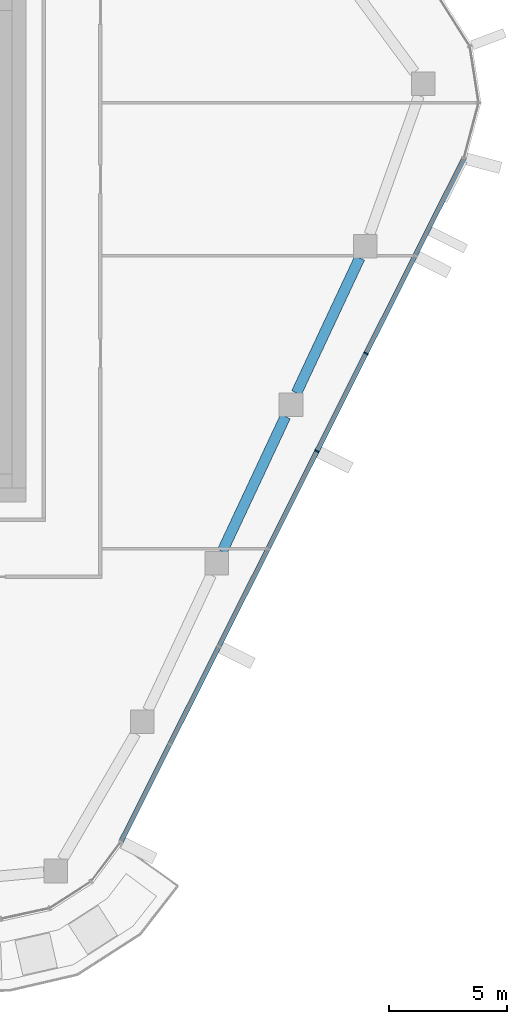
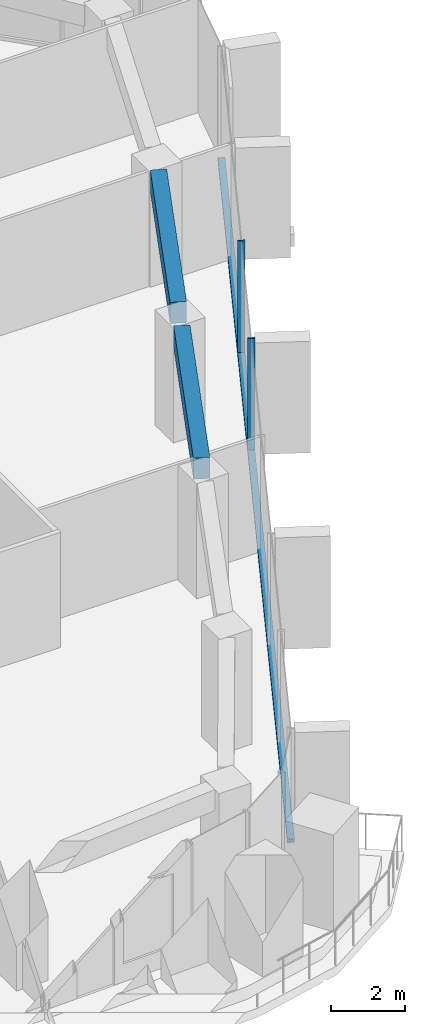
# One storey, part 5 of 23: 3 members, 2 beams, 1 element without a shape of its own.
"""IFC4 building model written with IfcOpenShell, lengths in metres."""

from ifc_helpers import new_model, si_unit, direction, frame, origin, origin_2d, place, context, subcontext, project, spatial, rectangle, extrude, material, layer, layer_set, material_profile, profile_set, type_object, element, aggregate, save


model = new_model("IFC4")

# Units and contexts
model_context = context("Model", 3, precision=1e-05, world=origin(), true_north=direction((0.0, 1.0)))
body_context = subcontext(model_context, "Body", "Model", "MODEL_VIEW")
ifc_project = project(units=[si_unit("LENGTHUNIT", "METRE"), si_unit("AREAUNIT", "SQUARE_METRE"), si_unit("VOLUMEUNIT", "CUBIC_METRE"), si_unit("PLANEANGLEUNIT", "RADIAN"), si_unit("MASSUNIT", "GRAM", prefix="KILO")], contexts=[model_context])

# Site, building, storey
site_placement = place(None, origin())
site = spatial("IfcSite", under=ifc_project, at=site_placement, CompositionType="ELEMENT")
building_placement = place(site_placement, origin())
building = spatial("IfcBuilding", under=site, at=building_placement, Name="Dongbaek Canopy Tower", CompositionType="ELEMENT")
storey_placement = place(building_placement, frame((0.0, 0.0, 315.199951171875)))
storey = spatial("IfcBuildingStorey", under=building, at=storey_placement, Name="L67", CompositionType="ELEMENT", Elevation=315.199951171875)

# Curtain wall, members
ifc_material_1 = material(Name="Aluminium 6063-T6 pale anodised", Category="aluminium")
ifc_layer = layer(ifc_material_1, 0.199951171875)
ifc_layer_set = layer_set([ifc_layer], Name="CW-1 unitised tower curtain wall")
curtain_wall_type = type_object("IfcCurtainWallType", Name="CW-1 unitised tower curtain wall", PredefinedType="NOTDEFINED", material=ifc_layer_set)
curtain_wall_placement = place(storey_placement, origin())
curtain_wall = element("IfcCurtainWall", 1, at=curtain_wall_placement, inside=storey, type_object=curtain_wall_type, Name="CW-1 curtain wall F5.1", PredefinedType="NOTDEFINED")
ifc_material_2 = material(Name="Aluminium 6063-T6 pale anodised", Category="aluminium")
ifc_material_profile_1 = material_profile(ifc_material_2, rectangle(XDim=0.199951171875, YDim=0.06005859375, at=origin_2d()), Name="CW-1 mullion 60 x 200")
ifc_profile_set_1 = profile_set([ifc_material_profile_1], Name="Aluminium 6063-T6 pale anodised")
member_type_1 = type_object("IfcMemberType", Name="CW-1 mullion 60 x 200", PredefinedType="MULLION", material=ifc_profile_set_1)
member_1_placement = place(storey_placement, frame((26.309326171875, -8.841064453125, 0.1201171875), z_axis=(0.0, 0.0, 1.0), x_axis=(0.893733414129, -0.448598466859, 0.0)))
member_1 = element("IfcMember", 2, at=member_1_placement, type_object=member_type_1, Name="CW-1 mullion F5.1.5", PredefinedType="MULLION", context=body_context, shape_type="SweptSolid", body=[
    extrude(rectangle(XDim=0.199951171875, YDim=0.06005859375, at=origin_2d()), origin(), (0.0, 0.0, 1.0), 3.699951171875),
])
member_2_placement = place(storey_placement, frame((28.38427734375, -4.707275390625, 0.1201171875), z_axis=(0.0, 0.0, 1.0), x_axis=(0.893733414129, -0.448598466859, 0.0)))
member_2 = element("IfcMember", 3, at=member_2_placement, type_object=member_type_1, Name="CW-1 mullion F5.1.6", PredefinedType="MULLION", context=body_context, shape_type="SweptSolid", body=[
    extrude(rectangle(XDim=0.199951171875, YDim=0.06005859375, at=origin_2d()), origin(), (0.0, 0.0, 1.0), 3.699951171875),
])
ifc_material_3 = material(Name="Aluminium 6063-T6 pale anodised", Category="aluminium")
ifc_material_profile_2 = material_profile(ifc_material_3, rectangle(XDim=0.199951171875, YDim=0.1201171875, at=origin_2d()), Name="CW-1 transom 120 x 200")
ifc_profile_set_2 = profile_set([ifc_material_profile_2], Name="Aluminium 6063-T6 pale anodised")
member_type_2 = type_object("IfcMemberType", Name="CW-1 transom 120 x 200", PredefinedType="USERDEFINED", material=ifc_profile_set_2)
member_3_placement = place(storey_placement, frame((18.013427734375, -25.36865234375, 0.06005859375), z_axis=(0.448601308033, 0.893731988032, 0.0), x_axis=(-0.893731988032, 0.448601308033, 0.0)))
member_3 = element("IfcMember", 4, at=member_3_placement, type_object=member_type_2, Name="CW-1 transom F5.1.1", ObjectType="TRANSOM", PredefinedType="USERDEFINED", context=body_context, shape_type="SweptSolid", body=[
    extrude(rectangle(XDim=0.199951171875, YDim=0.1201171875, at=origin_2d()), origin(), (0.0, 0.0, 1.0), 32.358642578125),
])
aggregate(curtain_wall, [member_1, member_2, member_3])

# Beams
ifc_material_4 = material(Name="Concrete C60", Category="concrete")
ifc_material_profile_3 = material_profile(ifc_material_4, rectangle(XDim=0.449951171875, YDim=0.699951171875, at=origin_2d()), Name="RC EDGE BEAM 450x700 C60")
ifc_profile_set_3 = profile_set([ifc_material_profile_3], Name="Concrete C60")
beam_type = type_object("IfcBeamType", Name="RC EDGE BEAM 450x700 C60", PredefinedType="BEAM", material=ifc_profile_set_3)
beam_1_placement = place(storey_placement, frame((28.116943359375, -0.669921875, 3.469970703125), z_axis=(-0.42401310583, -0.905656052861, 0.0), x_axis=(0.905656052861, -0.42401310583, 0.0)))
element("IfcBeam", 5, at=beam_1_placement, inside=storey, type_object=beam_type, Name="EDGEBEAM:L67:22", PredefinedType="BEAM", context=body_context, shape_type="SweptSolid", body=[
    extrude(rectangle(XDim=0.449951171875, YDim=0.699951171875, at=origin_2d()), origin(), (0.0, 0.0, 1.0), 6.3037109375),
])
beam_2_placement = place(storey_placement, frame((24.975830078125, -7.37890625, 3.469970703125), z_axis=(-0.424108398663, -0.905611432229, 0.0), x_axis=(0.905611432229, -0.424108398663, 0.0)))
element("IfcBeam", 6, at=beam_2_placement, inside=storey, type_object=beam_type, Name="EDGEBEAM:L67:23", PredefinedType="BEAM", context=body_context, shape_type="SweptSolid", body=[
    extrude(rectangle(XDim=0.449951171875, YDim=0.699951171875, at=origin_2d()), origin(), (0.0, 0.0, 1.0), 6.303955078125),
])

save(model, "model.ifc")
